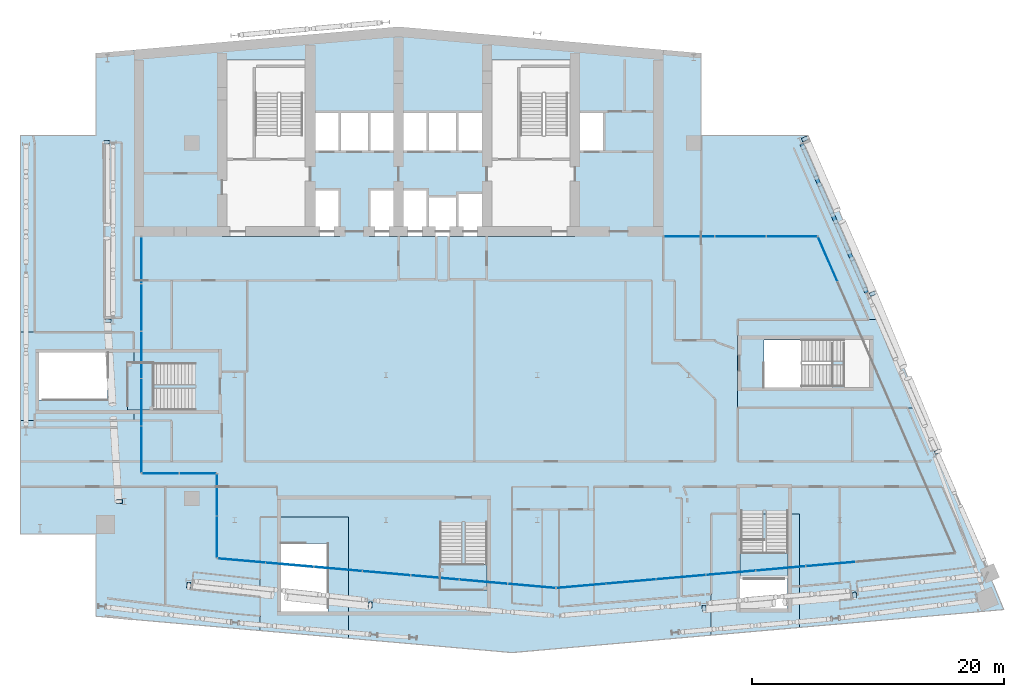
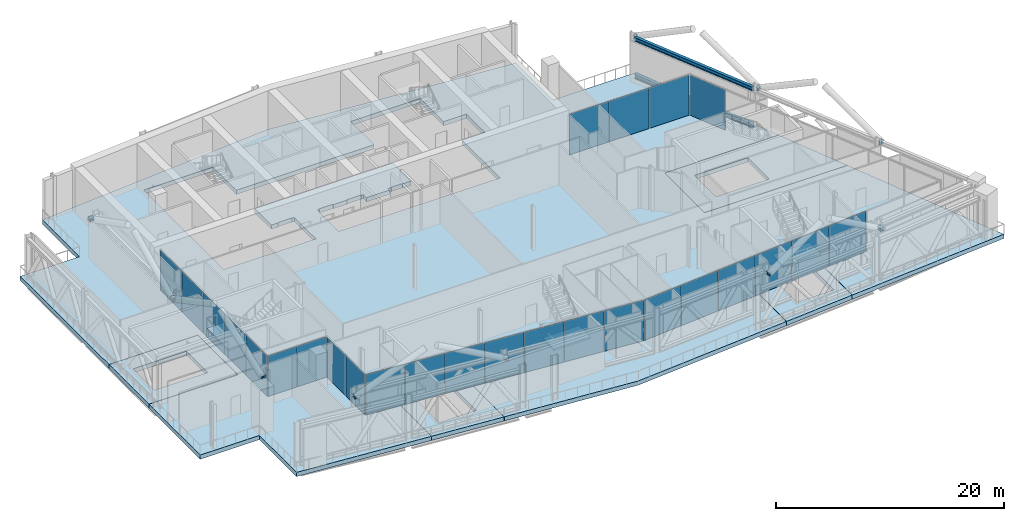
# One storey, part 11 of 35: 26 plates, 12 members, 8 slabs, 10 elements without a shape of their own.
"""IFC4 building model written with IfcOpenShell, lengths in metres."""

from ifc_helpers import new_model, si_unit, direction, frame, origin, origin_2d, place, context, subcontext, project, spatial, polyline, rectangle, i_section, outline, extrude, material, layer, layer_set, material_profile, profile_set, type_object, element, aggregate, save


model = new_model("IFC4")

# Units and contexts
model_context = context("Model", 3, precision=1e-05, world=origin(), true_north=direction((0.0, 1.0)))
body_context = subcontext(model_context, "Body", "Model", "MODEL_VIEW")
ifc_project = project(units=[si_unit("LENGTHUNIT", "METRE"), si_unit("AREAUNIT", "SQUARE_METRE"), si_unit("VOLUMEUNIT", "CUBIC_METRE"), si_unit("PLANEANGLEUNIT", "RADIAN"), si_unit("MASSUNIT", "GRAM", prefix="KILO")], contexts=[model_context])

# Site, building, storey
site_placement = place(None, origin())
site = spatial("IfcSite", under=ifc_project, at=site_placement, CompositionType="ELEMENT")
building_placement = place(site_placement, origin())
building = spatial("IfcBuilding", under=site, at=building_placement, Name="Wharfspan Tower", CompositionType="ELEMENT")
storey_placement = place(building_placement, frame((0.0, 0.0, 202.300049)))
storey = spatial("IfcBuildingStorey", under=building, at=storey_placement, Name="L50", CompositionType="ELEMENT", Elevation=202.300049)

# Members
ifc_material_1 = material(Name="Steel S355J2", Category="steel")
ifc_material_profile_1 = material_profile(ifc_material_1, i_section(OverallWidth=0.300049, OverallDepth=0.300049, WebThickness=0.010986, FlangeThickness=0.019043, FilletRadius=0.0271, at=origin_2d()))
ifc_profile_set_1 = profile_set([ifc_material_profile_1], Name="Steel S355J2")
member_type_1 = type_object("IfcMemberType", Name="Brace node stub HEB 300", PredefinedType="STRUT", material=ifc_profile_set_1)
for number, where, z_axis, x_axis, name in (
    (1, (20.37915, 6.553223, 4.099854), (-0.086907, -0.996216, 0.0), (0.996216, -0.086907, 0.0), "Brace node stub L51 S1 A"),
    (2, (34.768311, 4.993896, 4.099854), (-0.086907, -0.996216, 0.0), (0.996216, -0.086907, 0.0), "Brace node stub L51 S1 B"),
    (3, (61.215332, 4.72998, 4.099854), (0.08744, -0.99617, 0.0), (0.99617, 0.08744, 0.0), "Brace node stub L51 S2 A"),
    (4, (73.148438, 5.773926, 4.099854), (0.086907, -0.996216, 0.0), (0.996216, 0.086907, 0.0), "Brace node stub L51 S2 B"),
    (5, (14.098145, 41.459717, 4.099854), (-1.0, 0.0, 0.0), (0.0, -1.0, 0.0), "Brace node stub L51 W A"),
    (6, (14.209961, 27.300049, 4.099854), (-1.0, 0.0, 0.0), (0.0, -1.0, 0.0), "Brace node stub L51 W B"),
):
    element("IfcMember", number, at=place(storey_placement, frame(where, z_axis=z_axis, x_axis=x_axis)), inside=storey, type_object=member_type_1, Name=name, PredefinedType="STRUT", context=body_context, shape_type="SweptSolid", body=[
        extrude(i_section(OverallWidth=0.300049, OverallDepth=0.300049, WebThickness=0.010986, FlangeThickness=0.019043, FilletRadius=0.0271, at=origin_2d()), origin(), (0.0, 0.0, 1.0), 0.455078),
    ])
member_placement = place(storey_placement, frame((15.087646, 12.963379, 4.099854), z_axis=(-1.0, 0.0, 0.0), x_axis=(0.0, -1.0, 0.0)))
element("IfcMember", 7, at=member_placement, inside=storey, type_object=member_type_1, Name="Brace node stub L51 W B", PredefinedType="STRUT", context=body_context, shape_type="SweptSolid", body=[
    extrude(i_section(OverallWidth=0.300049, OverallDepth=0.300049, WebThickness=0.010986, FlangeThickness=0.019043, FilletRadius=0.0271, at=origin_2d()), origin(), (0.0, 0.0, 1.0), 0.454834),
])
for number, where, z_axis, x_axis, name in (
    (8, (79.547363, 16.821533, 4.099854), (0.917079, 0.398706, 0.0), (-0.398706, 0.917079, 0.0), "Brace node stub L51 E A"),
    (9, (74.373047, 29.354736, 4.099854), (0.917079, 0.398706, 0.0), (-0.398706, 0.917079, 0.0), "Brace node stub L51 E B"),
    (10, (69.004883, 41.63208, 4.099854), (0.917079, 0.398706, 0.0), (-0.398706, 0.917079, 0.0), "Brace node stub L51 E B"),
):
    element("IfcMember", number, at=place(storey_placement, frame(where, z_axis=z_axis, x_axis=x_axis)), inside=storey, type_object=member_type_1, Name=name, PredefinedType="STRUT", context=body_context, shape_type="SweptSolid", body=[
        extrude(i_section(OverallWidth=0.300049, OverallDepth=0.300049, WebThickness=0.010986, FlangeThickness=0.019043, FilletRadius=0.0271, at=origin_2d()), origin(), (0.0, 0.0, 1.0), 0.455078),
    ])
ifc_material_profile_2 = material_profile(ifc_material_1, i_section(OverallWidth=0.300049, OverallDepth=0.449951, WebThickness=0.013916, FlangeThickness=0.025879, FilletRadius=0.0271, at=origin_2d()))
ifc_profile_set_2 = profile_set([ifc_material_profile_2], Name="Steel S355J2")
member_type_2 = type_object("IfcMemberType", Name="Truss chord HEB 450", PredefinedType="CHORD", material=ifc_profile_set_2)
for number, where, z_axis, x_axis, name in (
    (11, (74.130371, 29.534912, 4.175049), (-0.400621, 0.916244, 0.0), (-0.916244, -0.400621, 0.0), "Belt truss chord T L50 E PE.2 to PE.3"),
    (12, (74.130371, 29.534912, 0.224854), (-0.400621, 0.916244, 0.0), (-0.916244, -0.400621, 0.0), "Belt truss chord B L50 E PE.2 to PE.3"),
):
    element("IfcMember", number, at=place(storey_placement, frame(where, z_axis=z_axis, x_axis=x_axis)), inside=storey, type_object=member_type_2, Name=name, PredefinedType="CHORD", context=body_context, shape_type="SweptSolid", body=[
        extrude(i_section(OverallWidth=0.300049, OverallDepth=0.449951, WebThickness=0.013916, FlangeThickness=0.025879, FilletRadius=0.0271, at=origin_2d()), origin(), (0.0, 0.0, 1.0), 12.875488),
    ])

# Curtain wall, plates
ifc_material_2 = material(Name="Aluminium 6063-T6", Category="aluminium")
curtain_wall_type = type_object("IfcCurtainWallType", Name="CURTAIN WALL BAND RECESS", PredefinedType="NOTDEFINED", material=ifc_material_2)
curtain_wall_1_placement = place(storey_placement, origin())
curtain_wall_1 = element("IfcCurtainWall", 13, at=curtain_wall_1_placement, inside=storey, type_object=curtain_wall_type, Name="Recess glazing R1", PredefinedType="NOTDEFINED")
ifc_material_3 = material(Name="Glass clear low-iron double glazing", Category="glass")
ifc_layer_1 = layer(ifc_material_3, 0.035889)
ifc_layer_set_1 = layer_set([ifc_layer_1], Name="Glass clear low-iron double glazing")
plate_type = type_object("IfcPlateType", Name="GLASS PANEL BAND RECESS 36", PredefinedType="CURTAIN_PANEL", material=ifc_layer_set_1)
plate_1_placement = place(storey_placement, frame((21.084961, 15.199951, 0.0), z_axis=(0.0, 0.0, 1.0), x_axis=(-1.0, 0.0, 0.0)))
plate_1 = element("IfcPlate", 14, at=plate_1_placement, type_object=plate_type, Name="Recess glazing R1 panel 1", PredefinedType="CURTAIN_PANEL", context=body_context, shape_type="SweptSolid", body=[
    extrude(rectangle(XDim=2.909912, YDim=0.035889, at=origin_2d()), origin(), (0.0, 0.0, 1.0), 4.330078),
])
plate_2_placement = place(storey_placement, frame((18.11499, 15.199951, 0.0), z_axis=(0.0, 0.0, 1.0), x_axis=(-1.0, 0.0, 0.0)))
plate_2 = element("IfcPlate", 15, at=plate_2_placement, type_object=plate_type, Name="Recess glazing R1 panel 2", PredefinedType="CURTAIN_PANEL", context=body_context, shape_type="SweptSolid", body=[
    extrude(rectangle(XDim=2.909912, YDim=0.035889, at=origin_2d()), origin(), (0.0, 0.0, 1.0), 4.330078),
])
aggregate(curtain_wall_1, [plate_1, plate_2])

curtain_wall_2_placement = place(storey_placement, origin())
curtain_wall_2 = element("IfcCurtainWall", 16, at=curtain_wall_2_placement, inside=storey, type_object=curtain_wall_type, Name="Recess glazing R2", PredefinedType="NOTDEFINED")
plate_3_placement = place(storey_placement, frame((16.600098, 17.094971, 0.0), z_axis=(0.0, 0.0, 1.0), x_axis=(0.0, 1.0, 0.0)))
plate_3 = element("IfcPlate", 17, at=plate_3_placement, type_object=plate_type, Name="Recess glazing R2 panel 1", PredefinedType="CURTAIN_PANEL", context=body_context, shape_type="SweptSolid", body=[
    extrude(rectangle(XDim=3.669922, YDim=0.035889, at=origin_2d()), origin(), (0.0, 0.0, 1.0), 4.330078),
])
plate_4_placement = place(storey_placement, frame((16.600098, 20.840088, 0.0), z_axis=(0.0, 0.0, 1.0), x_axis=(0.0, 1.0, 0.0)))
plate_4 = element("IfcPlate", 18, at=plate_4_placement, type_object=plate_type, Name="Recess glazing R2 panel 2", PredefinedType="CURTAIN_PANEL", context=body_context, shape_type="SweptSolid", body=[
    extrude(rectangle(XDim=3.699951, YDim=0.035889, at=origin_2d()), origin(), (0.0, 0.0, 1.0), 4.330078),
])
plate_5_placement = place(storey_placement, frame((16.600098, 24.600098, 0.0), z_axis=(0.0, 0.0, 1.0), x_axis=(0.0, 1.0, 0.0)))
plate_5 = element("IfcPlate", 19, at=plate_5_placement, type_object=plate_type, Name="Recess glazing R2 panel 3", PredefinedType="CURTAIN_PANEL", context=body_context, shape_type="SweptSolid", body=[
    extrude(rectangle(XDim=3.699951, YDim=0.035889, at=origin_2d()), origin(), (0.0, 0.0, 1.0), 4.330078),
])
plate_6_placement = place(storey_placement, frame((16.600098, 28.360107, 0.0), z_axis=(0.0, 0.0, 1.0), x_axis=(0.0, 1.0, 0.0)))
plate_6 = element("IfcPlate", 20, at=plate_6_placement, type_object=plate_type, Name="Recess glazing R2 panel 4", PredefinedType="CURTAIN_PANEL", context=body_context, shape_type="SweptSolid", body=[
    extrude(rectangle(XDim=3.699951, YDim=0.035889, at=origin_2d()), origin(), (0.0, 0.0, 1.0), 4.330078),
])
plate_7_placement = place(storey_placement, frame((16.600098, 32.10498, 0.0), z_axis=(0.0, 0.0, 1.0), x_axis=(0.0, 1.0, 0.0)))
plate_7 = element("IfcPlate", 21, at=plate_7_placement, type_object=plate_type, Name="Recess glazing R2 panel 5", PredefinedType="CURTAIN_PANEL", context=body_context, shape_type="SweptSolid", body=[
    extrude(rectangle(XDim=3.669922, YDim=0.035889, at=origin_2d()), origin(), (0.0, 0.0, 1.0), 4.330078),
])
aggregate(curtain_wall_2, [plate_3, plate_4, plate_5, plate_6, plate_7])

curtain_wall_3_placement = place(storey_placement, origin())
curtain_wall_3 = element("IfcCurtainWall", 22, at=curtain_wall_3_placement, inside=storey, type_object=curtain_wall_type, Name="Recess glazing R3", PredefinedType="NOTDEFINED")
plate_8_placement = place(storey_placement, frame((60.056885, 34.0, 0.0), z_axis=(0.0, 0.0, 1.0), x_axis=(1.0, 0.0, 0.0)))
plate_8 = element("IfcPlate", 23, at=plate_8_placement, type_object=plate_type, Name="Recess glazing R3 panel 1", PredefinedType="CURTAIN_PANEL", context=body_context, shape_type="SweptSolid", body=[
    extrude(rectangle(XDim=3.993896, YDim=0.035889, at=origin_2d()), origin(), (0.0, 0.0, 1.0), 4.330078),
])
plate_9_placement = place(storey_placement, frame((64.125977, 34.0, 0.0), z_axis=(0.0, 0.0, 1.0), x_axis=(1.0, 0.0, 0.0)))
plate_9 = element("IfcPlate", 24, at=plate_9_placement, type_object=plate_type, Name="Recess glazing R3 panel 2", PredefinedType="CURTAIN_PANEL", context=body_context, shape_type="SweptSolid", body=[
    extrude(rectangle(XDim=4.023926, YDim=0.035889, at=origin_2d()), origin(), (0.0, 0.0, 1.0), 4.330078),
])
plate_10_placement = place(storey_placement, frame((68.194824, 34.0, 0.0), z_axis=(0.0, 0.0, 1.0), x_axis=(1.0, 0.0, 0.0)))
plate_10 = element("IfcPlate", 25, at=plate_10_placement, type_object=plate_type, Name="Recess glazing R3 panel 3", PredefinedType="CURTAIN_PANEL", context=body_context, shape_type="SweptSolid", body=[
    extrude(rectangle(XDim=3.993896, YDim=0.035889, at=origin_2d()), origin(), (0.0, 0.0, 1.0), 4.330078),
])
aggregate(curtain_wall_3, [plate_8, plate_9, plate_10])

# Curtain wall, plate
curtain_wall_4_placement = place(storey_placement, origin())
curtain_wall_4 = element("IfcCurtainWall", 26, at=curtain_wall_4_placement, inside=storey, type_object=curtain_wall_type, Name="Recess glazing R4", PredefinedType="NOTDEFINED")
plate_11_placement = place(storey_placement, frame((71.038086, 32.19165, 0.0), z_axis=(0.0, 0.0, 1.0), x_axis=(0.398727, -0.917072, 0.0)))
plate_11 = element("IfcPlate", 27, at=plate_11_placement, type_object=plate_type, Name="Recess glazing R4 panel 1", PredefinedType="CURTAIN_PANEL", context=body_context, shape_type="SweptSolid", body=[
    extrude(rectangle(XDim=3.82373, YDim=0.035889, at=origin_2d()), origin(), (0.0, 0.0, 1.0), 4.330078),
])
aggregate(curtain_wall_4, [plate_11])

# Curtain wall, plates
curtain_wall_5_placement = place(storey_placement, origin())
curtain_wall_5 = element("IfcCurtainWall", 28, at=curtain_wall_5_placement, inside=storey, type_object=curtain_wall_type, Name="Recess glazing R5", PredefinedType="NOTDEFINED")
plate_12_placement = place(storey_placement, frame((71.2771, 8.009277, 0.0), z_axis=(0.0, 0.0, 1.0), x_axis=(-0.996198, -0.087156, 0.0)))
plate_12 = element("IfcPlate", 29, at=plate_12_placement, type_object=plate_type, Name="Recess glazing R5 panel 3", PredefinedType="CURTAIN_PANEL", context=body_context, shape_type="SweptSolid", body=[
    extrude(rectangle(XDim=3.914551, YDim=0.035889, at=origin_2d()), origin(), (0.0, 0.0, 1.0), 4.330078),
])
plate_13_placement = place(storey_placement, frame((67.317627, 7.662842, 0.0), z_axis=(0.0, 0.0, 1.0), x_axis=(-0.996198, -0.087156, 0.0)))
plate_13 = element("IfcPlate", 30, at=plate_13_placement, type_object=plate_type, Name="Recess glazing R5 panel 4", PredefinedType="CURTAIN_PANEL", context=body_context, shape_type="SweptSolid", body=[
    extrude(rectangle(XDim=3.914551, YDim=0.035889, at=origin_2d()), origin(), (0.0, 0.0, 1.0), 4.330078),
])
plate_14_placement = place(storey_placement, frame((63.358154, 7.316406, 0.0), z_axis=(0.0, 0.0, 1.0), x_axis=(-0.996198, -0.087156, 0.0)))
plate_14 = element("IfcPlate", 31, at=plate_14_placement, type_object=plate_type, Name="Recess glazing R5 panel 5", PredefinedType="CURTAIN_PANEL", context=body_context, shape_type="SweptSolid", body=[
    extrude(rectangle(XDim=3.914551, YDim=0.035889, at=origin_2d()), origin(), (0.0, 0.0, 1.0), 4.330078),
])
plate_15_placement = place(storey_placement, frame((59.398682, 6.970215, 0.0), z_axis=(0.0, 0.0, 1.0), x_axis=(-0.996198, -0.087156, 0.0)))
plate_15 = element("IfcPlate", 32, at=plate_15_placement, type_object=plate_type, Name="Recess glazing R5 panel 6", PredefinedType="CURTAIN_PANEL", context=body_context, shape_type="SweptSolid", body=[
    extrude(rectangle(XDim=3.914551, YDim=0.035889, at=origin_2d()), origin(), (0.0, 0.0, 1.0), 4.330078),
])
plate_16_placement = place(storey_placement, frame((55.439209, 6.623779, 0.0), z_axis=(0.0, 0.0, 1.0), x_axis=(-0.996198, -0.087156, 0.0)))
plate_16 = element("IfcPlate", 33, at=plate_16_placement, type_object=plate_type, Name="Recess glazing R5 panel 7", PredefinedType="CURTAIN_PANEL", context=body_context, shape_type="SweptSolid", body=[
    extrude(rectangle(XDim=3.914551, YDim=0.035889, at=origin_2d()), origin(), (0.0, 0.0, 1.0), 4.330078),
])
plate_17_placement = place(storey_placement, frame((51.494629, 6.278564, 0.0), z_axis=(0.0, 0.0, 1.0), x_axis=(-0.996198, -0.087156, 0.0)))
plate_17 = element("IfcPlate", 34, at=plate_17_placement, type_object=plate_type, Name="Recess glazing R5 panel 8", PredefinedType="CURTAIN_PANEL", context=body_context, shape_type="SweptSolid", body=[
    extrude(rectangle(XDim=3.884521, YDim=0.035889, at=origin_2d()), origin(), (0.0, 0.0, 1.0), 4.330078),
])
aggregate(curtain_wall_5, [plate_12, plate_13, plate_14, plate_15, plate_16, plate_17])

curtain_wall_6_placement = place(storey_placement, origin())
curtain_wall_6 = element("IfcCurtainWall", 35, at=curtain_wall_6_placement, inside=storey, type_object=curtain_wall_type, Name="Recess glazing R6", PredefinedType="NOTDEFINED")
plate_18_placement = place(storey_placement, frame((47.563721, 6.273438, 0.0), z_axis=(0.0, 0.0, 1.0), x_axis=(-0.996198, 0.087156, 0.0)))
plate_18 = element("IfcPlate", 36, at=plate_18_placement, type_object=plate_type, Name="Recess glazing R6 panel 1", PredefinedType="CURTAIN_PANEL", context=body_context, shape_type="SweptSolid", body=[
    extrude(rectangle(XDim=3.767578, YDim=0.035889, at=origin_2d()), origin(), (0.0, 0.0, 1.0), 4.330078),
])
plate_19_placement = place(storey_placement, frame((43.735596, 6.608398, 0.0), z_axis=(0.0, 0.0, 1.0), x_axis=(-0.996198, 0.087156, 0.0)))
plate_19 = element("IfcPlate", 37, at=plate_19_placement, type_object=plate_type, Name="Recess glazing R6 panel 2", PredefinedType="CURTAIN_PANEL", context=body_context, shape_type="SweptSolid", body=[
    extrude(rectangle(XDim=3.797607, YDim=0.035889, at=origin_2d()), origin(), (0.0, 0.0, 1.0), 4.330078),
])
plate_20_placement = place(storey_placement, frame((39.892822, 6.94458, 0.0), z_axis=(0.0, 0.0, 1.0), x_axis=(-0.996198, 0.087156, 0.0)))
plate_20 = element("IfcPlate", 38, at=plate_20_placement, type_object=plate_type, Name="Recess glazing R6 panel 3", PredefinedType="CURTAIN_PANEL", context=body_context, shape_type="SweptSolid", body=[
    extrude(rectangle(XDim=3.797607, YDim=0.035889, at=origin_2d()), origin(), (0.0, 0.0, 1.0), 4.330078),
])
plate_21_placement = place(storey_placement, frame((36.050049, 7.280762, 0.0), z_axis=(0.0, 0.0, 1.0), x_axis=(-0.996198, 0.087156, 0.0)))
plate_21 = element("IfcPlate", 39, at=plate_21_placement, type_object=plate_type, Name="Recess glazing R6 panel 4", PredefinedType="CURTAIN_PANEL", context=body_context, shape_type="SweptSolid", body=[
    extrude(rectangle(XDim=3.797607, YDim=0.035889, at=origin_2d()), origin(), (0.0, 0.0, 1.0), 4.330078),
])
plate_22_placement = place(storey_placement, frame((32.207031, 7.616943, 0.0), z_axis=(0.0, 0.0, 1.0), x_axis=(-0.996198, 0.087156, 0.0)))
plate_22 = element("IfcPlate", 40, at=plate_22_placement, type_object=plate_type, Name="Recess glazing R6 panel 5", PredefinedType="CURTAIN_PANEL", context=body_context, shape_type="SweptSolid", body=[
    extrude(rectangle(XDim=3.797607, YDim=0.035889, at=origin_2d()), origin(), (0.0, 0.0, 1.0), 4.330078),
])
plate_23_placement = place(storey_placement, frame((28.364258, 7.953125, 0.0), z_axis=(0.0, 0.0, 1.0), x_axis=(-0.996198, 0.087156, 0.0)))
plate_23 = element("IfcPlate", 41, at=plate_23_placement, type_object=plate_type, Name="Recess glazing R6 panel 6", PredefinedType="CURTAIN_PANEL", context=body_context, shape_type="SweptSolid", body=[
    extrude(rectangle(XDim=3.797607, YDim=0.035889, at=origin_2d()), origin(), (0.0, 0.0, 1.0), 4.330078),
])
plate_24_placement = place(storey_placement, frame((24.536377, 8.288086, 0.0), z_axis=(0.0, 0.0, 1.0), x_axis=(-0.996198, 0.087156, 0.0)))
plate_24 = element("IfcPlate", 42, at=plate_24_placement, type_object=plate_type, Name="Recess glazing R6 panel 7", PredefinedType="CURTAIN_PANEL", context=body_context, shape_type="SweptSolid", body=[
    extrude(rectangle(XDim=3.767578, YDim=0.035889, at=origin_2d()), origin(), (0.0, 0.0, 1.0), 4.330078),
])
aggregate(curtain_wall_6, [plate_18, plate_19, plate_20, plate_21, plate_22, plate_23, plate_24])

curtain_wall_7_placement = place(storey_placement, origin())
curtain_wall_7 = element("IfcCurtainWall", 43, at=curtain_wall_7_placement, inside=storey, type_object=curtain_wall_type, Name="Recess glazing R7", PredefinedType="NOTDEFINED")
plate_25_placement = place(storey_placement, frame((22.600098, 10.158203, 0.0), z_axis=(0.0, 0.0, 1.0), x_axis=(0.0, 1.0, 0.0)))
plate_25 = element("IfcPlate", 44, at=plate_25_placement, type_object=plate_type, Name="Recess glazing R7 panel 1", PredefinedType="CURTAIN_PANEL", context=body_context, shape_type="SweptSolid", body=[
    extrude(rectangle(XDim=3.28125, YDim=0.035889, at=origin_2d()), origin(), (0.0, 0.0, 1.0), 4.330078),
])
plate_26_placement = place(storey_placement, frame((22.600098, 13.499268, 0.0), z_axis=(0.0, 0.0, 1.0), x_axis=(0.0, 1.0, 0.0)))
plate_26 = element("IfcPlate", 45, at=plate_26_placement, type_object=plate_type, Name="Recess glazing R7 panel 2", PredefinedType="CURTAIN_PANEL", context=body_context, shape_type="SweptSolid", body=[
    extrude(rectangle(XDim=3.28125, YDim=0.035889, at=origin_2d()), origin(), (0.0, 0.0, 1.0), 4.330078),
])
aggregate(curtain_wall_7, [plate_25, plate_26])

# Slabs
ifc_material_4 = material(Name="Concrete C40/50", Category="concrete")
ifc_layer_2 = layer(ifc_material_4, 0.449951)
ifc_layer_set_2 = layer_set([ifc_layer_2], Name="Concrete C40/50")
slab_type_1 = type_object("IfcSlabType", Name="Post-tensioned band slab 450", PredefinedType="FLOOR", material=ifc_layer_set_2)
slab_1_placement = place(storey_placement, frame((0.0, 0.0, -0.450195)))
element("IfcSlab", 46, at=slab_1_placement, inside=storey, type_object=slab_type_1, Name="Floor slab L50", PredefinedType="FLOOR", context=body_context, shape_type="SweptSolid", body=[
    extrude(outline(polyline([(26.029297, 2.735107), (26.029297, 11.744385), (33.049316, 11.744385), (33.049316, 2.121094), (46.0, 0.987793), (61.801514, 2.370361), (61.801514, 11.993652), (68.821289, 11.993652), (68.821289, 2.984619), (85.0, 4.399902), (78.398682, 20.389893), (63.894531, 20.389893), (63.894531, 27.409912), (75.500488, 27.409912), (69.477051, 42.0), (61.0, 42.0), (61.0, 48.524902), (37.0, 50.624756), (13.0, 48.524902), (13.0, 42.0), (7.0, 42.0), (7.0, 26.409912), (16.01001, 26.409912), (16.01001, 19.389893), (7.0, 19.389893), (7.0, 10.399902), (13.0, 10.399902), (13.0, 3.875), (26.029297, 2.735107)]), holes=[polyline([(32.126709, 37.76001), (32.343262, 37.76001), (32.343262, 33.98999), (22.98999, 33.98999), (22.98999, 48.01001), (30.01001, 48.01001), (30.01001, 43.909912), (43.98999, 43.909912), (43.98999, 48.01001), (51.01001, 48.01001), (51.01001, 43.909912), (53.343262, 43.909912), (53.343262, 40.689941), (51.01001, 40.689941), (51.01001, 33.98999), (34.656738, 33.98999), (34.656738, 37.76001), (34.873291, 37.76001), (34.873291, 37.810059), (36.293213, 37.810059), (36.293213, 37.76001), (37.666748, 37.76001), (37.666748, 37.810059), (39.166748, 37.810059), (39.166748, 37.76001), (39.343262, 37.76001), (39.343262, 37.209961), (41.656738, 37.209961), (41.656738, 37.459961), (42.023193, 37.459961), (42.023193, 37.51001), (43.143311, 37.51001), (43.143311, 37.459961), (43.98999, 37.459961), (43.98999, 40.689941), (30.01001, 40.689941), (30.01001, 37.76001), (30.706787, 37.76001), (30.706787, 37.810059), (32.126709, 37.810059), (32.126709, 37.76001)])]), origin(), (0.0, 0.0, 1.0), 0.450195),
])
ifc_layer_3 = layer(ifc_material_4, 0.449951)
ifc_layer_set_3 = layer_set([ifc_layer_3], Name="Concrete C40/50")
slab_type_2 = type_object("IfcSlabType", Name="Post-tensioned flat slab 450", PredefinedType="FLOOR", material=ifc_layer_set_3)
slab_2_placement = place(storey_placement, frame((0.0, 0.0, -0.450195)))
element("IfcSlab", 47, at=slab_2_placement, inside=storey, type_object=slab_type_2, Name="Core floor slab L50 part 1", PredefinedType="FLOOR", context=body_context, shape_type="SweptSolid", body=[
    extrude(outline(polyline([(16.008057, 19.925049), (16.008057, 24.274902), (16.0, 24.274902), (16.0, 25.074951), (16.0, 26.399902), (7.0, 26.399902), (7.0, 19.399902), (16.0, 19.399902), (16.0, 19.925049), (16.008057, 19.925049)]), holes=[polyline([(13.899902, 24.7771), (13.900146, 24.7771), (13.900391, 24.7771), (13.900635, 24.776855), (13.900879, 24.776855), (13.900879, 24.776855), (13.901123, 24.776611), (13.901367, 24.776611), (13.901367, 24.776367), (13.901611, 24.776367), (13.901611, 24.776123), (13.901855, 24.775879), (13.901855, 24.775879), (13.901855, 24.775635), (13.9021, 24.775391), (13.9021, 24.775146), (13.9021, 24.774902), (13.9021, 21.024902), (13.9021, 21.024902), (13.9021, 21.024658), (13.901855, 21.024414), (13.901855, 21.02417), (13.901855, 21.02417), (13.901611, 21.023926), (13.901611, 21.023682), (13.901367, 21.023682), (13.901367, 21.023438), (13.901123, 21.023193), (13.900879, 21.023193), (13.900879, 21.023193), (13.900635, 21.023193), (13.900391, 21.022949), (13.900146, 21.022949), (13.899902, 21.022949), (8.5, 21.022949), (8.499756, 21.022949), (8.499512, 21.022949), (8.499512, 21.023193), (8.499268, 21.023193), (8.499023, 21.023193), (8.498779, 21.023193), (8.498779, 21.023438), (8.498535, 21.023682), (8.498535, 21.023682), (8.498291, 21.023926), (8.498291, 21.02417), (8.498291, 21.02417), (8.498047, 21.024414), (8.498047, 21.024658), (8.498047, 21.024902), (8.498047, 21.024902), (8.498047, 24.774902), (8.498047, 24.775146), (8.498047, 24.775391), (8.498047, 24.775635), (8.498291, 24.775879), (8.498291, 24.775879), (8.498291, 24.776123), (8.498535, 24.776367), (8.498535, 24.776367), (8.498779, 24.776611), (8.498779, 24.776611), (8.499023, 24.776855), (8.499268, 24.776855), (8.499512, 24.776855), (8.499512, 24.7771), (8.499756, 24.7771), (8.5, 24.7771), (13.899902, 24.7771)])]), origin(), (0.0, 0.0, 1.0), 0.450195),
])
slab_3_placement = place(storey_placement, frame((0.0, 0.0, -0.450195)))
element("IfcSlab", 48, at=slab_3_placement, inside=storey, type_object=slab_type_2, Name="Core floor slab L50 part 2", PredefinedType="FLOOR", context=body_context, shape_type="SweptSolid", body=[
    extrude(outline(polyline([(33.039307, 11.734375), (31.714111, 11.734375), (27.364258, 11.734375), (26.039307, 11.734375), (26.039307, 2.734375), (33.039307, 2.121826), (33.039307, 11.734375)]), holes=[polyline([(27.662109, 9.634277), (27.662109, 9.634521), (27.662354, 9.634766), (27.662354, 9.63501), (27.662354, 9.63501), (27.662598, 9.635254), (27.662598, 9.635498), (27.662598, 9.635498), (27.662842, 9.635742), (27.663086, 9.635742), (27.663086, 9.635986), (27.66333, 9.635986), (27.663574, 9.635986), (27.663574, 9.63623), (27.663818, 9.63623), (27.664062, 9.63623), (27.664307, 9.63623), (31.414307, 9.63623), (31.414307, 9.63623), (31.414551, 9.63623), (31.414795, 9.63623), (31.415039, 9.635986), (31.415283, 9.635986), (31.415283, 9.635986), (31.415527, 9.635742), (31.415527, 9.635742), (31.415771, 9.635498), (31.416016, 9.635498), (31.416016, 9.635254), (31.416016, 9.63501), (31.416016, 9.63501), (31.41626, 9.634766), (31.41626, 9.634521), (31.41626, 9.634277), (31.41626, 4.234375), (31.41626, 4.234131), (31.41626, 4.233887), (31.416016, 4.233643), (31.416016, 4.233398), (31.416016, 4.233398), (31.416016, 4.233154), (31.415771, 4.23291), (31.415527, 4.23291), (31.415527, 4.232666), (31.415283, 4.232666), (31.415283, 4.232422), (31.415039, 4.232422), (31.414795, 4.232422), (31.414551, 4.232422), (31.414307, 4.232422), (31.414307, 4.232422), (27.664307, 4.232422), (27.664062, 4.232422), (27.663818, 4.232422), (27.663574, 4.232422), (27.663574, 4.232422), (27.66333, 4.232422), (27.663086, 4.232666), (27.663086, 4.232666), (27.662842, 4.23291), (27.662598, 4.23291), (27.662598, 4.233154), (27.662598, 4.233398), (27.662354, 4.233398), (27.662354, 4.233643), (27.662354, 4.233887), (27.662109, 4.234131), (27.662109, 4.234375), (27.662109, 9.634277)])]), origin(), (0.0, 0.0, 1.0), 0.450195),
])
slab_4_placement = place(storey_placement, frame((0.0, 0.0, -0.450195)))
element("IfcSlab", 49, at=slab_4_placement, inside=storey, type_object=slab_type_2, Name="Core floor slab L50 part 4", PredefinedType="FLOOR", context=body_context, shape_type="SweptSolid", body=[
    extrude(outline(polyline([(68.193848, 11.991699), (63.84375, 11.991699), (63.84375, 11.983643), (63.786377, 11.983643), (61.811279, 11.983643), (61.811279, 2.371338), (68.811279, 2.983643), (68.811279, 11.983643), (68.193848, 11.983643), (68.193848, 11.991699)]), holes=[polyline([(64.084473, 9.883789), (64.084473, 9.883789), (64.084473, 9.884033), (64.084473, 9.884277), (64.084473, 9.884521), (64.084717, 9.884521), (64.084717, 9.884766), (64.084717, 9.88501), (64.084961, 9.88501), (64.085205, 9.885254), (64.085205, 9.885254), (64.085449, 9.885498), (64.085693, 9.885498), (64.085693, 9.885498), (64.085938, 9.885498), (64.086182, 9.885742), (64.086426, 9.885742), (67.836426, 9.885742), (67.836426, 9.885742), (67.83667, 9.885498), (67.836914, 9.885498), (67.837158, 9.885498), (67.837402, 9.885498), (67.837402, 9.885254), (67.837646, 9.885254), (67.837891, 9.88501), (67.837891, 9.88501), (67.837891, 9.884766), (67.838135, 9.884521), (67.838135, 9.884521), (67.838379, 9.884277), (67.838379, 9.884033), (67.838379, 9.883789), (67.838379, 9.883789), (67.838379, 4.483643), (67.838379, 4.483398), (67.838379, 4.483398), (67.838379, 4.483154), (67.838135, 4.48291), (67.838135, 4.482666), (67.837891, 4.482666), (67.837891, 4.482422), (67.837891, 4.482422), (67.837646, 4.482178), (67.837402, 4.481934), (67.837402, 4.481934), (67.837158, 4.481689), (67.836914, 4.481689), (67.83667, 4.481689), (67.836426, 4.481689), (67.836426, 4.481689), (64.086426, 4.481689), (64.086182, 4.481689), (64.085938, 4.481689), (64.085693, 4.481689), (64.085693, 4.481689), (64.085449, 4.481934), (64.085205, 4.481934), (64.085205, 4.482178), (64.084961, 4.482422), (64.084717, 4.482422), (64.084717, 4.482666), (64.084717, 4.482666), (64.084473, 4.48291), (64.084473, 4.483154), (64.084473, 4.483398), (64.084473, 4.483398), (64.084473, 4.483643), (64.084473, 9.883789)])]), origin(), (0.0, 0.0, 1.0), 0.450195),
])
slab_5_placement = place(storey_placement, frame((0.0, 0.0, -0.450195)))
element("IfcSlab", 50, at=slab_5_placement, inside=storey, type_object=slab_type_2, Name="Core floor slab L50 part 5", PredefinedType="FLOOR", context=body_context, shape_type="SweptSolid", body=[
    extrude(outline(polyline([(78.394531, 20.399902), (75.504639, 27.399902), (63.904541, 27.399902), (63.904541, 20.399902), (78.394531, 20.399902)]), holes=[polyline([(66.004639, 22.022949), (66.004395, 22.022949), (66.00415, 22.022949), (66.003906, 22.023193), (66.003906, 22.023193), (66.003662, 22.023193), (66.003418, 22.023193), (66.003418, 22.023438), (66.003174, 22.023682), (66.00293, 22.023682), (66.00293, 22.023926), (66.002686, 22.02417), (66.002686, 22.02417), (66.002686, 22.024414), (66.002686, 22.024658), (66.002686, 22.024902), (66.002686, 22.024902), (66.002686, 25.774902), (66.002686, 25.775146), (66.002686, 25.775391), (66.002686, 25.775635), (66.002686, 25.775879), (66.002686, 25.775879), (66.00293, 25.776123), (66.00293, 25.776367), (66.003174, 25.776367), (66.003418, 25.776611), (66.003418, 25.776611), (66.003662, 25.776855), (66.003906, 25.776855), (66.003906, 25.776855), (66.00415, 25.7771), (66.004395, 25.7771), (66.004639, 25.7771), (71.404541, 25.7771), (71.404785, 25.7771), (71.405029, 25.7771), (71.405273, 25.776855), (71.405518, 25.776855), (71.405518, 25.776855), (71.405762, 25.776611), (71.406006, 25.776611), (71.406006, 25.776367), (71.406006, 25.776367), (71.40625, 25.776123), (71.406494, 25.775879), (71.406494, 25.775879), (71.406494, 25.775635), (71.406494, 25.775391), (71.406494, 25.775146), (71.406494, 25.774902), (71.406494, 22.024902), (71.406494, 22.024902), (71.406494, 22.024658), (71.406494, 22.024414), (71.406494, 22.02417), (71.406494, 22.02417), (71.40625, 22.023926), (71.406006, 22.023682), (71.406006, 22.023682), (71.406006, 22.023438), (71.405762, 22.023193), (71.405518, 22.023193), (71.405518, 22.023193), (71.405273, 22.023193), (71.405029, 22.022949), (71.404785, 22.022949), (71.404541, 22.022949), (66.004639, 22.022949)])]), origin(), (0.0, 0.0, 1.0), 0.450195),
])

# Stair, slab
stair_type = type_object("IfcStairType", Name="Half-turn stair 26 risers 185 mm", PredefinedType="HALF_TURN_STAIR", material=ifc_material_4)
stair_1_placement = place(storey_placement, origin())
stair_1 = element("IfcStair", 51, at=stair_1_placement, inside=storey, type_object=stair_type, Name="L50 stair ST3", PredefinedType="HALF_TURN_STAIR")
ifc_layer_4 = layer(ifc_material_4, 0.199951)
ifc_layer_set_4 = layer_set([ifc_layer_4], Name="Concrete C40/50")
slab_type_3 = type_object("IfcSlabType", Name="Stair landing 200", PredefinedType="LANDING", material=ifc_layer_set_4)
slab_6_placement = place(storey_placement, frame((0.0, 0.0, 2.199707)))
slab_6 = element("IfcSlab", 52, at=slab_6_placement, type_object=slab_type_3, Name="ST3 landing 1", PredefinedType="LANDING", context=body_context, shape_type="SweptSolid", body=[
    extrude(outline(polyline([(17.540039, 23.975098), (15.5, 23.975098), (15.5, 20.225098), (17.540039, 20.225098), (17.540039, 23.975098)])), origin(), (0.0, 0.0, 1.0), 0.200195),
])
aggregate(stair_1, [slab_6])

stair_2_placement = place(storey_placement, origin())
stair_2 = element("IfcStair", 53, at=stair_2_placement, inside=storey, type_object=stair_type, Name="L50 stair ST4", PredefinedType="HALF_TURN_STAIR")
slab_7_placement = place(storey_placement, frame((0.0, 0.0, 2.199707)))
slab_7 = element("IfcSlab", 54, at=slab_7_placement, type_object=slab_type_3, Name="ST4 landing 1", PredefinedType="LANDING", context=body_context, shape_type="SweptSolid", body=[
    extrude(outline(polyline([(40.2771, 7.983154), (40.2771, 5.943115), (44.0271, 5.943115), (44.0271, 7.983154), (40.2771, 7.983154)])), origin(), (0.0, 0.0, 1.0), 0.200195),
])
aggregate(stair_2, [slab_7])

stair_3_placement = place(storey_placement, origin())
stair_3 = element("IfcStair", 55, at=stair_3_placement, inside=storey, type_object=stair_type, Name="L50 stair ST5", PredefinedType="HALF_TURN_STAIR")
slab_8_placement = place(storey_placement, frame((0.0, 0.0, 2.199707)))
slab_8 = element("IfcSlab", 56, at=slab_8_placement, type_object=slab_type_3, Name="ST5 landing 1", PredefinedType="LANDING", context=body_context, shape_type="SweptSolid", body=[
    extrude(outline(polyline([(64.086426, 6.846191), (67.893799, 6.846191), (67.893799, 8.88623), (64.086426, 8.88623), (64.086426, 6.846191)])), origin(), (0.0, 0.0, 1.0), 0.200195),
])
aggregate(stair_3, [slab_8])

save(model, "model.ifc")
